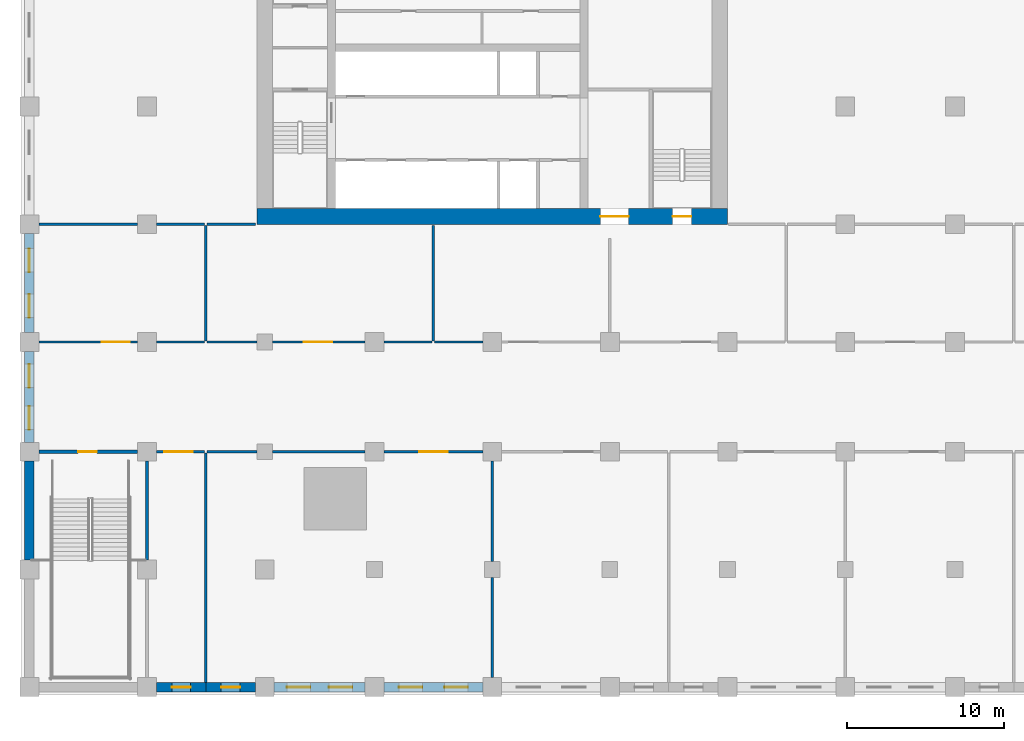
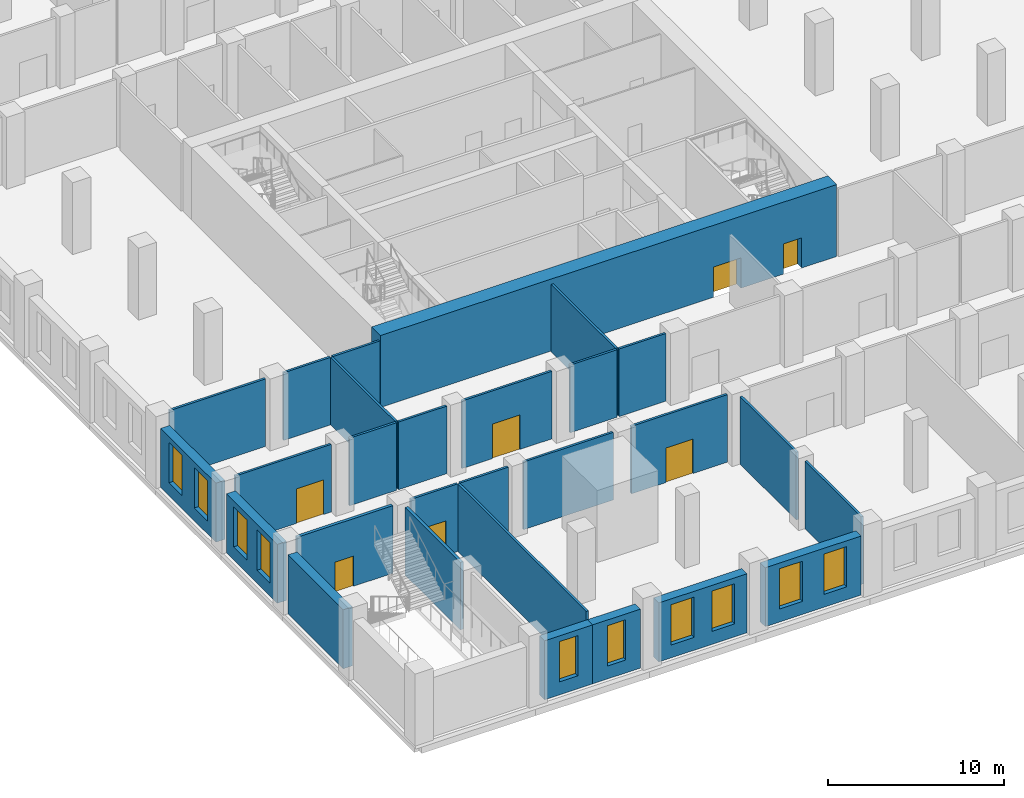
# One storey, part 3 of 32: 28 walls, 10 windows, 7 doors, 17 openings.
"""IFC4 building model written with IfcOpenShell, lengths in metres."""

from ifc_helpers import new_model, si_unit, direction, frame, frame_2d, origin, place, context, subcontext, project, spatial, rectangle, extrude, material, layer, layer_set, type_object, element, fill, save


model = new_model("IFC4")

# Units and contexts
model_context = context("Model", 3, precision=1e-05, world=origin(), true_north=direction((0.0, 1.0)))
body_context = subcontext(model_context, "Body", "Model", "MODEL_VIEW")
ifc_project = project(units=[si_unit("LENGTHUNIT", "METRE"), si_unit("AREAUNIT", "SQUARE_METRE"), si_unit("VOLUMEUNIT", "CUBIC_METRE"), si_unit("PLANEANGLEUNIT", "RADIAN"), si_unit("MASSUNIT", "GRAM", prefix="KILO")], contexts=[model_context])

# Site, building, storey
site_placement = place(None, origin())
site = spatial("IfcSite", under=ifc_project, at=site_placement, CompositionType="ELEMENT")
building_placement = place(site_placement, origin())
building = spatial("IfcBuilding", under=site, at=building_placement, Name="Tamorin Gate", CompositionType="ELEMENT")
storey_placement = place(building_placement, frame((0.0, 0.0, 18.5)))
storey = spatial("IfcBuildingStorey", under=building, at=storey_placement, Name="L03", CompositionType="ELEMENT", Elevation=18.5)

# Wall, opening, door
ifc_material_1 = material(Name="Concrete masonry C20/25", Category="masonry")
ifc_layer_1 = layer(ifc_material_1, 0.14990234375)
ifc_layer_set_1 = layer_set([ifc_layer_1], Name="Partition 150")
wall_type_1 = type_object("IfcWallType", Name="Partition 150", PredefinedType="PARTITIONING", material=ifc_layer_set_1)
wall_1_placement = place(storey_placement, frame((23.60009765625, 45.5, 0.0), z_axis=(0.0, 0.0, 1.0), x_axis=(1.0, 0.0, 0.0)))
wall_1 = element("IfcWall", 1, at=wall_1_placement, inside=storey, type_object=wall_type_1, Name="Partition 150 L03", PredefinedType="PARTITIONING", context=body_context, shape_type="SweptSolid", body=[
    extrude(rectangle(XDim=3.074951171875, YDim=0.14990234375, at=frame_2d((1.53759765625, 0.0))), origin(), (0.0, 0.0, 1.0), 4.699951171875),
])
opening_1_placement = place(wall_1_placement, frame((0.5, 0.0, 0.0)))
opening_1 = element("IfcOpeningElement", 2, at=opening_1_placement, cuts=wall_1, Name="Opening DP3", PredefinedType="OPENING", context=body_context, shape_type="SweptSolid", body=[
    extrude(rectangle(XDim=1.800048828125, YDim=2.39990234375, at=frame_2d((0.89990234375, 1.199951171875))), frame((0.0, 0.0849609375, 0.0), z_axis=(0.0, -1.0, 0.0), x_axis=(1.0, 0.0, 0.0)), (0.0, 0.0, 1.0), 0.169921875),
])
ifc_material_2 = material(Name="Steel and glass", Category="steel")
door_type_1 = type_object("IfcDoorType", Name="Door pair 1800", OperationType="DOUBLE_DOOR_SINGLE_SWING", PredefinedType="DOOR", material=ifc_material_2)
door_1_placement = place(opening_1_placement, origin())
door_1 = element("IfcDoor", 3, at=door_1_placement, inside=storey, type_object=door_type_1, Name="Door pair 1800 L03", OperationType="SINGLE_SWING_LEFT", OverallHeight=2.39990234375, OverallWidth=1.800048828125, PredefinedType="DOOR", context=body_context, shape_type="SweptSolid", body=[
    extrude(rectangle(XDim=1.800048828125, YDim=2.39990234375, at=frame_2d((0.89990234375, 1.199951171875))), frame((0.0, 0.02490234375, 0.0), z_axis=(0.0, -1.0, 0.0), x_axis=(1.0, 0.0, 0.0)), (0.0, 0.0, 1.0), 0.050048828125),
])
fill(opening_1, door_1)

# Walls
wall_2_placement = place(storey_placement, frame((26.824951171875, 45.5, 0.0), z_axis=(0.0, 0.0, 1.0), x_axis=(1.0, 0.0, 0.0)))
element("IfcWall", 4, at=wall_2_placement, inside=storey, type_object=wall_type_1, Name="Partition 150 L03", PredefinedType="PARTITIONING", context=body_context, shape_type="SweptSolid", body=[
    extrude(rectangle(XDim=3.175048828125, YDim=0.14990234375, at=frame_2d((1.58740234375, 0.0))), origin(), (0.0, 0.0, 1.0), 4.699951171875),
])
wall_3_placement = place(storey_placement, frame((31.0, 45.5, 0.0), z_axis=(0.0, 0.0, 1.0), x_axis=(1.0, 0.0, 0.0)))
element("IfcWall", 5, at=wall_3_placement, inside=storey, type_object=wall_type_1, Name="Partition 150 L03", PredefinedType="PARTITIONING", context=body_context, shape_type="SweptSolid", body=[
    extrude(rectangle(XDim=5.89990234375, YDim=0.14990234375, at=frame_2d((2.949951171875, 0.0))), origin(), (0.0, 0.0, 1.0), 4.699951171875),
])

# Wall, opening, door
wall_4_placement = place(storey_placement, frame((38.10009765625, 45.5, 0.0), z_axis=(0.0, 0.0, 1.0), x_axis=(1.0, 0.0, 0.0)))
wall_4 = element("IfcWall", 6, at=wall_4_placement, inside=storey, type_object=wall_type_1, Name="Partition 150 L03", PredefinedType="PARTITIONING", context=body_context, shape_type="SweptSolid", body=[
    extrude(rectangle(XDim=6.2998046875, YDim=0.14990234375, at=frame_2d((3.14990234375, 0.0))), origin(), (0.0, 0.0, 1.0), 4.699951171875),
])
opening_2_placement = place(wall_4_placement, frame((2.25, 0.0, 0.0)))
opening_2 = element("IfcOpeningElement", 7, at=opening_2_placement, cuts=wall_4, Name="Opening DP3", PredefinedType="OPENING", context=body_context, shape_type="SweptSolid", body=[
    extrude(rectangle(XDim=1.800048828125, YDim=2.39990234375, at=frame_2d((0.89990234375, 1.199951171875))), frame((0.0, 0.0849609375, 0.0), z_axis=(0.0, -1.0, 0.0), x_axis=(1.0, 0.0, 0.0)), (0.0, 0.0, 1.0), 0.169921875),
])
door_2_placement = place(opening_2_placement, origin())
door_2 = element("IfcDoor", 8, at=door_2_placement, inside=storey, type_object=door_type_1, Name="Door pair 1800 L03", OperationType="SINGLE_SWING_LEFT", OverallHeight=2.39990234375, OverallWidth=1.800048828125, PredefinedType="DOOR", context=body_context, shape_type="SweptSolid", body=[
    extrude(rectangle(XDim=1.800048828125, YDim=2.39990234375, at=frame_2d((0.89990234375, 1.199951171875))), frame((0.0, 0.02490234375, 0.0), z_axis=(0.0, -1.0, 0.0), x_axis=(1.0, 0.0, 0.0)), (0.0, 0.0, 1.0), 0.050048828125),
])
fill(opening_2, door_2)

wall_5_placement = place(storey_placement, frame((22.39990234375, 52.5, 0.0), z_axis=(0.0, 0.0, 1.0), x_axis=(-1.0, 0.0, 0.0)))
wall_5 = element("IfcWall", 9, at=wall_5_placement, inside=storey, type_object=wall_type_1, Name="Partition 150 L03", PredefinedType="PARTITIONING", context=body_context, shape_type="SweptSolid", body=[
    extrude(rectangle(XDim=6.2998046875, YDim=0.14990234375, at=frame_2d((3.14990234375, 0.0))), origin(), (0.0, 0.0, 1.0), 4.699951171875),
])
opening_3_placement = place(wall_5_placement, frame((0.5, 0.0, 0.0)))
opening_3 = element("IfcOpeningElement", 10, at=opening_3_placement, cuts=wall_5, Name="Opening DP3", PredefinedType="OPENING", context=body_context, shape_type="SweptSolid", body=[
    extrude(rectangle(XDim=1.800048828125, YDim=2.39990234375, at=frame_2d((0.89990234375, 1.199951171875))), frame((0.0, 0.0849609375, 0.0), z_axis=(0.0, -1.0, 0.0), x_axis=(1.0, 0.0, 0.0)), (0.0, 0.0, 1.0), 0.169921875),
])
door_3_placement = place(opening_3_placement, origin())
door_3 = element("IfcDoor", 11, at=door_3_placement, inside=storey, type_object=door_type_1, Name="Door pair 1800 L03", OperationType="SINGLE_SWING_LEFT", OverallHeight=2.39990234375, OverallWidth=1.800048828125, PredefinedType="DOOR", context=body_context, shape_type="SweptSolid", body=[
    extrude(rectangle(XDim=1.800048828125, YDim=2.39990234375, at=frame_2d((0.89990234375, 1.199951171875))), frame((0.0, 0.02490234375, 0.0), z_axis=(0.0, -1.0, 0.0), x_axis=(1.0, 0.0, 0.0)), (0.0, 0.0, 1.0), 0.050048828125),
])
fill(opening_3, door_3)

# Walls
wall_6_placement = place(storey_placement, frame((23.60009765625, 52.5, 0.0), z_axis=(0.0, 0.0, 1.0), x_axis=(1.0, 0.0, 0.0)))
element("IfcWall", 12, at=wall_6_placement, inside=storey, type_object=wall_type_1, Name="Partition 150 L03", PredefinedType="PARTITIONING", context=body_context, shape_type="SweptSolid", body=[
    extrude(rectangle(XDim=3.074951171875, YDim=0.14990234375, at=frame_2d((1.53759765625, 0.0))), origin(), (0.0, 0.0, 1.0), 4.699951171875),
])
wall_7_placement = place(storey_placement, frame((26.824951171875, 52.5, 0.0), z_axis=(0.0, 0.0, 1.0), x_axis=(1.0, 0.0, 0.0)))
element("IfcWall", 13, at=wall_7_placement, inside=storey, type_object=wall_type_1, Name="Partition 150 L03", PredefinedType="PARTITIONING", context=body_context, shape_type="SweptSolid", body=[
    extrude(rectangle(XDim=3.175048828125, YDim=0.14990234375, at=frame_2d((1.58740234375, 0.0))), origin(), (0.0, 0.0, 1.0), 4.699951171875),
])

# Wall, opening, door
wall_8_placement = place(storey_placement, frame((36.89990234375, 52.5, 0.0), z_axis=(0.0, 0.0, 1.0), x_axis=(-1.0, 0.0, 0.0)))
wall_8 = element("IfcWall", 14, at=wall_8_placement, inside=storey, type_object=wall_type_1, Name="Partition 150 L03", PredefinedType="PARTITIONING", context=body_context, shape_type="SweptSolid", body=[
    extrude(rectangle(XDim=5.89990234375, YDim=0.14990234375, at=frame_2d((2.949951171875, 0.0))), origin(), (0.0, 0.0, 1.0), 4.699951171875),
])
opening_4_placement = place(wall_8_placement, frame((2.10009765625, 0.0, 0.0)))
opening_4 = element("IfcOpeningElement", 15, at=opening_4_placement, cuts=wall_8, Name="Opening DP3", PredefinedType="OPENING", context=body_context, shape_type="SweptSolid", body=[
    extrude(rectangle(XDim=1.800048828125, YDim=2.39990234375, at=frame_2d((0.89990234375, 1.199951171875))), frame((0.0, 0.0849609375, 0.0), z_axis=(0.0, -1.0, 0.0), x_axis=(1.0, 0.0, 0.0)), (0.0, 0.0, 1.0), 0.169921875),
])
door_4_placement = place(opening_4_placement, origin())
door_4 = element("IfcDoor", 16, at=door_4_placement, inside=storey, type_object=door_type_1, Name="Door pair 1800 L03", OperationType="SINGLE_SWING_LEFT", OverallHeight=2.39990234375, OverallWidth=1.800048828125, PredefinedType="DOOR", context=body_context, shape_type="SweptSolid", body=[
    extrude(rectangle(XDim=1.800048828125, YDim=2.39990234375, at=frame_2d((0.89990234375, 1.199951171875))), frame((0.0, 0.02490234375, 0.0), z_axis=(0.0, -1.0, 0.0), x_axis=(1.0, 0.0, 0.0)), (0.0, 0.0, 1.0), 0.050048828125),
])
fill(opening_4, door_4)

# Walls
for number, where, z_axis, x_axis, name in (
    (17, (38.10009765625, 52.5, 0.0), (0.0, 0.0, 1.0), (1.0, 0.0, 0.0), "Partition 150 L03"),
    (18, (41.324951171875, 52.5, 0.0), (0.0, 0.0, 1.0), (1.0, 0.0, 0.0), "Partition 150 L03"),
):
    element("IfcWall", number, at=place(storey_placement, frame(where, z_axis=z_axis, x_axis=x_axis)), inside=storey, type_object=wall_type_1, Name=name, PredefinedType="PARTITIONING", context=body_context, shape_type="SweptSolid", body=[
        extrude(rectangle(XDim=3.074951171875, YDim=0.14990234375, at=frame_2d((1.53759765625, 0.0))), origin(), (0.0, 0.0, 1.0), 4.699951171875),
    ])
wall_9_placement = place(storey_placement, frame((16.10009765625, 60.0, 0.0), z_axis=(0.0, 0.0, 1.0), x_axis=(1.0, 0.0, 0.0)))
element("IfcWall", 19, at=wall_9_placement, inside=storey, type_object=wall_type_1, Name="Partition 150 L03", PredefinedType="PARTITIONING", context=body_context, shape_type="SweptSolid", body=[
    extrude(rectangle(XDim=6.2998046875, YDim=0.14990234375, at=frame_2d((3.14990234375, 0.0))), origin(), (0.0, 0.0, 1.0), 4.699951171875),
])
wall_10_placement = place(storey_placement, frame((23.60009765625, 60.0, 0.0), z_axis=(0.0, 0.0, 1.0), x_axis=(1.0, 0.0, 0.0)))
element("IfcWall", 20, at=wall_10_placement, inside=storey, type_object=wall_type_1, Name="Partition 150 L03", PredefinedType="PARTITIONING", context=body_context, shape_type="SweptSolid", body=[
    extrude(rectangle(XDim=3.074951171875, YDim=0.14990234375, at=frame_2d((1.53759765625, 0.0))), origin(), (0.0, 0.0, 1.0), 4.699951171875),
])
wall_11_placement = place(storey_placement, frame((26.824951171875, 60.0, 0.0), z_axis=(0.0, 0.0, 1.0), x_axis=(1.0, 0.0, 0.0)))
element("IfcWall", 21, at=wall_11_placement, inside=storey, type_object=wall_type_1, Name="Partition 150 L03", PredefinedType="PARTITIONING", context=body_context, shape_type="SweptSolid", body=[
    extrude(rectangle(XDim=3.10009765625, YDim=0.14990234375, at=frame_2d((1.550048828125, 0.0))), origin(), (0.0, 0.0, 1.0), 4.699951171875),
])
wall_12_placement = place(storey_placement, frame((26.75, 30.800048828125, 0.0), z_axis=(0.0, 0.0, 1.0), x_axis=(0.0, 1.0, 0.0)))
element("IfcWall", 22, at=wall_12_placement, inside=storey, type_object=wall_type_1, Name="Partition 150 L03", PredefinedType="PARTITIONING", context=body_context, shape_type="SweptSolid", body=[
    extrude(rectangle(XDim=14.625, YDim=0.14990234375, at=frame_2d((7.3125, 0.0))), origin(), (0.0, 0.0, 1.0), 4.699951171875),
])
wall_13_placement = place(storey_placement, frame((26.75, 52.574951171875, 0.0), z_axis=(0.0, 0.0, 1.0), x_axis=(0.0, 1.0, 0.0)))
element("IfcWall", 23, at=wall_13_placement, inside=storey, type_object=wall_type_1, Name="Partition 150 L03", PredefinedType="PARTITIONING", context=body_context, shape_type="SweptSolid", body=[
    extrude(rectangle(XDim=7.35009765625, YDim=0.14990234375, at=frame_2d((3.675048828125, 0.0))), origin(), (0.0, 0.0, 1.0), 4.699951171875),
])
for number, where, z_axis, x_axis, name in (
    (24, (45.0, 31.10009765625, 0.0), (0.0, 0.0, 1.0), (0.0, 1.0, 0.0), "Partition 150 L03"),
    (25, (45.0, 38.5, 0.0), (0.0, 0.0, 1.0), (0.0, 1.0, 0.0), "Partition 150 L03"),
):
    element("IfcWall", number, at=place(storey_placement, frame(where, z_axis=z_axis, x_axis=x_axis)), inside=storey, type_object=wall_type_1, Name=name, PredefinedType="PARTITIONING", context=body_context, shape_type="SweptSolid", body=[
        extrude(rectangle(XDim=6.39990234375, YDim=0.14990234375, at=frame_2d((3.199951171875, 0.0))), origin(), (0.0, 0.0, 1.0), 4.699951171875),
    ])
wall_14_placement = place(storey_placement, frame((41.25, 52.574951171875, 0.0), z_axis=(0.0, 0.0, 1.0), x_axis=(0.0, 1.0, 0.0)))
element("IfcWall", 26, at=wall_14_placement, inside=storey, type_object=wall_type_1, Name="Partition 150 L03", PredefinedType="PARTITIONING", context=body_context, shape_type="SweptSolid", body=[
    extrude(rectangle(XDim=7.35009765625, YDim=0.14990234375, at=frame_2d((3.675048828125, 0.0))), origin(), (0.0, 0.0, 1.0), 4.699951171875),
])

# Wall, opening, window
ifc_material_3 = material(Name="Precast concrete C40/50", Category="concrete")
ifc_layer_2 = layer(ifc_material_3, 0.60009765625)
ifc_layer_set_2 = layer_set([ifc_layer_2], Name="Precast concrete C40/50")
wall_type_2 = type_object("IfcWallType", Name="Precast plinth wall 600", PredefinedType="PARTITIONING", material=ifc_layer_set_2)
wall_15_placement = place(storey_placement, frame((23.60009765625, 30.5, 0.0), z_axis=(0.0, 0.0, 1.0), x_axis=(1.0, 0.0, 0.0)))
wall_15 = element("IfcWall", 27, at=wall_15_placement, inside=storey, type_object=wall_type_2, Name="Precast plinth wall 600 L03", PredefinedType="PARTITIONING", context=body_context, shape_type="SweptSolid", body=[
    extrude(rectangle(XDim=3.14990234375, YDim=0.60009765625, at=frame_2d((1.574951171875, 0.0))), origin(), (0.0, 0.0, 1.0), 4.10009765625),
])
opening_5_placement = place(wall_15_placement, frame((0.97509765625, 0.0, 0.89990234375)))
opening_5 = element("IfcOpeningElement", 28, at=opening_5_placement, cuts=wall_15, Name="Opening PWN4", PredefinedType="OPENING", context=body_context, shape_type="SweptSolid", body=[
    extrude(rectangle(XDim=1.199951171875, YDim=2.800048828125, at=frame_2d((0.60009765625, 1.39990234375))), frame((0.0, 0.31005859375, 0.0), z_axis=(0.0, -1.0, 0.0), x_axis=(1.0, 0.0, 0.0)), (0.0, 0.0, 1.0), 0.6201171875),
])
ifc_material_4 = material(Name="Aluminium and glass", Category="aluminium")
window_type_1 = type_object("IfcWindowType", Name="Plinth window 1200x2800", PartitioningType="DOUBLE_PANEL_VERTICAL", PredefinedType="WINDOW", material=ifc_material_4)
window_1_placement = place(opening_5_placement, origin())
window_1 = element("IfcWindow", 29, at=window_1_placement, inside=storey, type_object=window_type_1, Name="Plinth window 1200x2800", OverallHeight=2.800048828125, OverallWidth=1.199951171875, PartitioningType="SINGLE_PANEL", PredefinedType="WINDOW", context=body_context, shape_type="SweptSolid", body=[
    extrude(rectangle(XDim=1.199951171875, YDim=2.800048828125, at=frame_2d((0.60009765625, 1.39990234375))), frame((0.0, 0.030029296875, 0.0), z_axis=(0.0, -1.0, 0.0), x_axis=(1.0, 0.0, 0.0)), (0.0, 0.0, 1.0), 0.06005859375),
])
fill(opening_5, window_1)

wall_16_placement = place(storey_placement, frame((26.75, 30.5, 0.0), z_axis=(0.0, 0.0, 1.0), x_axis=(1.0, 0.0, 0.0)))
wall_16 = element("IfcWall", 30, at=wall_16_placement, inside=storey, type_object=wall_type_2, Name="Precast plinth wall 600 L03", PredefinedType="PARTITIONING", context=body_context, shape_type="SweptSolid", body=[
    extrude(rectangle(XDim=3.14990234375, YDim=0.60009765625, at=frame_2d((1.574951171875, 0.0))), origin(), (0.0, 0.0, 1.0), 4.10009765625),
])
opening_6_placement = place(wall_16_placement, frame((0.97509765625, 0.0, 0.89990234375)))
opening_6 = element("IfcOpeningElement", 31, at=opening_6_placement, cuts=wall_16, Name="Opening PWN4", PredefinedType="OPENING", context=body_context, shape_type="SweptSolid", body=[
    extrude(rectangle(XDim=1.199951171875, YDim=2.800048828125, at=frame_2d((0.60009765625, 1.39990234375))), frame((0.0, 0.31005859375, 0.0), z_axis=(0.0, -1.0, 0.0), x_axis=(1.0, 0.0, 0.0)), (0.0, 0.0, 1.0), 0.6201171875),
])
window_2_placement = place(opening_6_placement, origin())
window_2 = element("IfcWindow", 32, at=window_2_placement, inside=storey, type_object=window_type_1, Name="Plinth window 1200x2800", OverallHeight=2.800048828125, OverallWidth=1.199951171875, PartitioningType="SINGLE_PANEL", PredefinedType="WINDOW", context=body_context, shape_type="SweptSolid", body=[
    extrude(rectangle(XDim=1.199951171875, YDim=2.800048828125, at=frame_2d((0.60009765625, 1.39990234375))), frame((0.0, 0.030029296875, 0.0), z_axis=(0.0, -1.0, 0.0), x_axis=(1.0, 0.0, 0.0)), (0.0, 0.0, 1.0), 0.06005859375),
])
fill(opening_6, window_2)

# Wall, openings, windows
wall_17_placement = place(storey_placement, frame((31.10009765625, 30.5, 0.0), z_axis=(0.0, 0.0, 1.0), x_axis=(1.0, 0.0, 0.0)))
wall_17 = element("IfcWall", 33, at=wall_17_placement, inside=storey, type_object=wall_type_2, Name="Precast plinth wall 600 L03", PredefinedType="PARTITIONING", context=body_context, shape_type="SweptSolid", body=[
    extrude(rectangle(XDim=5.7998046875, YDim=0.60009765625, at=frame_2d((2.89990234375, 0.0))), origin(), (0.0, 0.0, 1.0), 4.10009765625),
])
opening_7_placement = place(wall_17_placement, frame((0.81591796875, 0.0, 0.89990234375)))
opening_7 = element("IfcOpeningElement", 34, at=opening_7_placement, cuts=wall_17, Name="Opening PWN5", PredefinedType="OPENING", context=body_context, shape_type="SweptSolid", body=[
    extrude(rectangle(XDim=1.5, YDim=2.800048828125, at=frame_2d((0.75, 1.39990234375))), frame((0.0, 0.31005859375, 0.0), z_axis=(0.0, -1.0, 0.0), x_axis=(1.0, 0.0, 0.0)), (0.0, 0.0, 1.0), 0.6201171875),
])
opening_8_placement = place(wall_17_placement, frame((3.48388671875, 0.0, 0.89990234375)))
opening_8 = element("IfcOpeningElement", 35, at=opening_8_placement, cuts=wall_17, Name="Opening PWN5", PredefinedType="OPENING", context=body_context, shape_type="SweptSolid", body=[
    extrude(rectangle(XDim=1.5, YDim=2.800048828125, at=frame_2d((0.75, 1.39990234375))), frame((0.0, 0.31005859375, 0.0), z_axis=(0.0, -1.0, 0.0), x_axis=(1.0, 0.0, 0.0)), (0.0, 0.0, 1.0), 0.6201171875),
])
window_type_2 = type_object("IfcWindowType", Name="Plinth window 1500x2800", PartitioningType="DOUBLE_PANEL_VERTICAL", PredefinedType="WINDOW", material=ifc_material_4)
window_3_placement = place(opening_7_placement, origin())
window_3 = element("IfcWindow", 36, at=window_3_placement, inside=storey, type_object=window_type_2, Name="Plinth window 1500x2800", OverallHeight=2.800048828125, OverallWidth=1.5, PartitioningType="SINGLE_PANEL", PredefinedType="WINDOW", context=body_context, shape_type="SweptSolid", body=[
    extrude(rectangle(XDim=1.5, YDim=2.800048828125, at=frame_2d((0.75, 1.39990234375))), frame((0.0, 0.030029296875, 0.0), z_axis=(0.0, -1.0, 0.0), x_axis=(1.0, 0.0, 0.0)), (0.0, 0.0, 1.0), 0.06005859375),
])
fill(opening_7, window_3)
window_4_placement = place(opening_8_placement, origin())
window_4 = element("IfcWindow", 37, at=window_4_placement, inside=storey, type_object=window_type_2, Name="Plinth window 1500x2800", OverallHeight=2.800048828125, OverallWidth=1.5, PartitioningType="SINGLE_PANEL", PredefinedType="WINDOW", context=body_context, shape_type="SweptSolid", body=[
    extrude(rectangle(XDim=1.5, YDim=2.800048828125, at=frame_2d((0.75, 1.39990234375))), frame((0.0, 0.030029296875, 0.0), z_axis=(0.0, -1.0, 0.0), x_axis=(1.0, 0.0, 0.0)), (0.0, 0.0, 1.0), 0.06005859375),
])
fill(opening_8, window_4)

wall_18_placement = place(storey_placement, frame((38.10009765625, 30.5, 0.0), z_axis=(0.0, 0.0, 1.0), x_axis=(1.0, 0.0, 0.0)))
wall_18 = element("IfcWall", 38, at=wall_18_placement, inside=storey, type_object=wall_type_2, Name="Precast plinth wall 600 L03", PredefinedType="PARTITIONING", context=body_context, shape_type="SweptSolid", body=[
    extrude(rectangle(XDim=6.2998046875, YDim=0.60009765625, at=frame_2d((3.14990234375, 0.0))), origin(), (0.0, 0.0, 1.0), 4.10009765625),
])
opening_9_placement = place(wall_18_placement, frame((0.950927734375, 0.0, 0.89990234375)))
opening_9 = element("IfcOpeningElement", 39, at=opening_9_placement, cuts=wall_18, Name="Opening PWN5", PredefinedType="OPENING", context=body_context, shape_type="SweptSolid", body=[
    extrude(rectangle(XDim=1.5, YDim=2.800048828125, at=frame_2d((0.75, 1.39990234375))), frame((0.0, 0.31005859375, 0.0), z_axis=(0.0, -1.0, 0.0), x_axis=(1.0, 0.0, 0.0)), (0.0, 0.0, 1.0), 0.6201171875),
])
opening_10_placement = place(wall_18_placement, frame((3.84912109375, 0.0, 0.89990234375)))
opening_10 = element("IfcOpeningElement", 40, at=opening_10_placement, cuts=wall_18, Name="Opening PWN5", PredefinedType="OPENING", context=body_context, shape_type="SweptSolid", body=[
    extrude(rectangle(XDim=1.5, YDim=2.800048828125, at=frame_2d((0.75, 1.39990234375))), frame((0.0, 0.31005859375, 0.0), z_axis=(0.0, -1.0, 0.0), x_axis=(1.0, 0.0, 0.0)), (0.0, 0.0, 1.0), 0.6201171875),
])
window_5_placement = place(opening_9_placement, origin())
window_5 = element("IfcWindow", 41, at=window_5_placement, inside=storey, type_object=window_type_2, Name="Plinth window 1500x2800", OverallHeight=2.800048828125, OverallWidth=1.5, PartitioningType="SINGLE_PANEL", PredefinedType="WINDOW", context=body_context, shape_type="SweptSolid", body=[
    extrude(rectangle(XDim=1.5, YDim=2.800048828125, at=frame_2d((0.75, 1.39990234375))), frame((0.0, 0.030029296875, 0.0), z_axis=(0.0, -1.0, 0.0), x_axis=(1.0, 0.0, 0.0)), (0.0, 0.0, 1.0), 0.06005859375),
])
fill(opening_9, window_5)
window_6_placement = place(opening_10_placement, origin())
window_6 = element("IfcWindow", 42, at=window_6_placement, inside=storey, type_object=window_type_2, Name="Plinth window 1500x2800", OverallHeight=2.800048828125, OverallWidth=1.5, PartitioningType="SINGLE_PANEL", PredefinedType="WINDOW", context=body_context, shape_type="SweptSolid", body=[
    extrude(rectangle(XDim=1.5, YDim=2.800048828125, at=frame_2d((0.75, 1.39990234375))), frame((0.0, 0.030029296875, 0.0), z_axis=(0.0, -1.0, 0.0), x_axis=(1.0, 0.0, 0.0)), (0.0, 0.0, 1.0), 0.06005859375),
])
fill(opening_10, window_6)

# Wall
wall_19_placement = place(storey_placement, frame((15.5, 38.60009765625, 0.0), z_axis=(0.0, 0.0, 1.0), x_axis=(0.0, 1.0, 0.0)))
element("IfcWall", 43, at=wall_19_placement, inside=storey, type_object=wall_type_2, Name="Precast plinth wall 600 L03", PredefinedType="PARTITIONING", context=body_context, shape_type="SweptSolid", body=[
    extrude(rectangle(XDim=6.2998046875, YDim=0.60009765625, at=frame_2d((3.14990234375, 0.0))), origin(), (0.0, 0.0, 1.0), 4.10009765625),
])

# Wall, openings, windows
wall_20_placement = place(storey_placement, frame((15.5, 46.10009765625, 0.0), z_axis=(0.0, 0.0, 1.0), x_axis=(0.0, 1.0, 0.0)))
wall_20 = element("IfcWall", 44, at=wall_20_placement, inside=storey, type_object=wall_type_2, Name="Precast plinth wall 600 L03", PredefinedType="PARTITIONING", context=body_context, shape_type="SweptSolid", body=[
    extrude(rectangle(XDim=5.7998046875, YDim=0.60009765625, at=frame_2d((2.89990234375, 0.0))), origin(), (0.0, 0.0, 1.0), 4.10009765625),
])
opening_11_placement = place(wall_20_placement, frame((0.81591796875, 0.0, 0.89990234375)))
opening_11 = element("IfcOpeningElement", 45, at=opening_11_placement, cuts=wall_20, Name="Opening PWN5", PredefinedType="OPENING", context=body_context, shape_type="SweptSolid", body=[
    extrude(rectangle(XDim=1.5, YDim=2.800048828125, at=frame_2d((0.75, 1.39990234375))), frame((0.0, 0.31005859375, 0.0), z_axis=(0.0, -1.0, 0.0), x_axis=(1.0, 0.0, 0.0)), (0.0, 0.0, 1.0), 0.6201171875),
])
opening_12_placement = place(wall_20_placement, frame((3.48388671875, 0.0, 0.89990234375)))
opening_12 = element("IfcOpeningElement", 46, at=opening_12_placement, cuts=wall_20, Name="Opening PWN5", PredefinedType="OPENING", context=body_context, shape_type="SweptSolid", body=[
    extrude(rectangle(XDim=1.5, YDim=2.800048828125, at=frame_2d((0.75, 1.39990234375))), frame((0.0, 0.31005859375, 0.0), z_axis=(0.0, -1.0, 0.0), x_axis=(1.0, 0.0, 0.0)), (0.0, 0.0, 1.0), 0.6201171875),
])
window_7_placement = place(opening_11_placement, origin())
window_7 = element("IfcWindow", 47, at=window_7_placement, inside=storey, type_object=window_type_2, Name="Plinth window 1500x2800", OverallHeight=2.800048828125, OverallWidth=1.5, PartitioningType="SINGLE_PANEL", PredefinedType="WINDOW", context=body_context, shape_type="SweptSolid", body=[
    extrude(rectangle(XDim=1.5, YDim=2.800048828125, at=frame_2d((0.75, 1.39990234375))), frame((0.0, 0.030029296875, 0.0), z_axis=(0.0, -1.0, 0.0), x_axis=(1.0, 0.0, 0.0)), (0.0, 0.0, 1.0), 0.06005859375),
])
fill(opening_11, window_7)
window_8_placement = place(opening_12_placement, origin())
window_8 = element("IfcWindow", 48, at=window_8_placement, inside=storey, type_object=window_type_2, Name="Plinth window 1500x2800", OverallHeight=2.800048828125, OverallWidth=1.5, PartitioningType="SINGLE_PANEL", PredefinedType="WINDOW", context=body_context, shape_type="SweptSolid", body=[
    extrude(rectangle(XDim=1.5, YDim=2.800048828125, at=frame_2d((0.75, 1.39990234375))), frame((0.0, 0.030029296875, 0.0), z_axis=(0.0, -1.0, 0.0), x_axis=(1.0, 0.0, 0.0)), (0.0, 0.0, 1.0), 0.06005859375),
])
fill(opening_12, window_8)

wall_21_placement = place(storey_placement, frame((15.5, 53.10009765625, 0.0), z_axis=(0.0, 0.0, 1.0), x_axis=(0.0, 1.0, 0.0)))
wall_21 = element("IfcWall", 49, at=wall_21_placement, inside=storey, type_object=wall_type_2, Name="Precast plinth wall 600 L03", PredefinedType="PARTITIONING", context=body_context, shape_type="SweptSolid", body=[
    extrude(rectangle(XDim=6.2998046875, YDim=0.60009765625, at=frame_2d((3.14990234375, 0.0))), origin(), (0.0, 0.0, 1.0), 4.10009765625),
])
opening_13_placement = place(wall_21_placement, frame((0.950927734375, 0.0, 0.89990234375)))
opening_13 = element("IfcOpeningElement", 50, at=opening_13_placement, cuts=wall_21, Name="Opening PWN5", PredefinedType="OPENING", context=body_context, shape_type="SweptSolid", body=[
    extrude(rectangle(XDim=1.5, YDim=2.800048828125, at=frame_2d((0.75, 1.39990234375))), frame((0.0, 0.31005859375, 0.0), z_axis=(0.0, -1.0, 0.0), x_axis=(1.0, 0.0, 0.0)), (0.0, 0.0, 1.0), 0.6201171875),
])
opening_14_placement = place(wall_21_placement, frame((3.84912109375, 0.0, 0.89990234375)))
opening_14 = element("IfcOpeningElement", 51, at=opening_14_placement, cuts=wall_21, Name="Opening PWN5", PredefinedType="OPENING", context=body_context, shape_type="SweptSolid", body=[
    extrude(rectangle(XDim=1.5, YDim=2.800048828125, at=frame_2d((0.75, 1.39990234375))), frame((0.0, 0.31005859375, 0.0), z_axis=(0.0, -1.0, 0.0), x_axis=(1.0, 0.0, 0.0)), (0.0, 0.0, 1.0), 0.6201171875),
])
window_9_placement = place(opening_13_placement, origin())
window_9 = element("IfcWindow", 52, at=window_9_placement, inside=storey, type_object=window_type_2, Name="Plinth window 1500x2800", OverallHeight=2.800048828125, OverallWidth=1.5, PartitioningType="SINGLE_PANEL", PredefinedType="WINDOW", context=body_context, shape_type="SweptSolid", body=[
    extrude(rectangle(XDim=1.5, YDim=2.800048828125, at=frame_2d((0.75, 1.39990234375))), frame((0.0, 0.030029296875, 0.0), z_axis=(0.0, -1.0, 0.0), x_axis=(1.0, 0.0, 0.0)), (0.0, 0.0, 1.0), 0.06005859375),
])
fill(opening_13, window_9)
window_10_placement = place(opening_14_placement, origin())
window_10 = element("IfcWindow", 53, at=window_10_placement, inside=storey, type_object=window_type_2, Name="Plinth window 1500x2800", OverallHeight=2.800048828125, OverallWidth=1.5, PartitioningType="SINGLE_PANEL", PredefinedType="WINDOW", context=body_context, shape_type="SweptSolid", body=[
    extrude(rectangle(XDim=1.5, YDim=2.800048828125, at=frame_2d((0.75, 1.39990234375))), frame((0.0, 0.030029296875, 0.0), z_axis=(0.0, -1.0, 0.0), x_axis=(1.0, 0.0, 0.0)), (0.0, 0.0, 1.0), 0.06005859375),
])
fill(opening_14, window_10)

# Wall, openings, doors
ifc_material_5 = material(Name="Concrete C80/95", Category="concrete")
ifc_layer_3 = layer(ifc_material_5, 1.0)
ifc_layer_set_3 = layer_set([ifc_layer_3], Name="RC core wall 1000 C80/95")
wall_type_3 = type_object("IfcWallType", Name="RC core wall 1000 C80/95", PredefinedType="SHEAR", material=ifc_layer_set_3)
wall_22_placement = place(storey_placement, frame((30.0, 60.5, 0.0), z_axis=(0.0, 0.0, 1.0), x_axis=(1.0, 0.0, 0.0)))
wall_22 = element("IfcWall", 54, at=wall_22_placement, inside=storey, type_object=wall_type_3, Name="Core wall L03", PredefinedType="SHEAR", context=body_context, shape_type="SweptSolid", body=[
    extrude(rectangle(XDim=30.0, YDim=1.0, at=frame_2d((15.0, 0.0))), origin(), (0.0, 0.0, 1.0), 5.0),
])
opening_15_placement = place(wall_22_placement, frame((21.89990234375, 0.0, 0.0)))
opening_15 = element("IfcOpeningElement", 55, at=opening_15_placement, cuts=wall_22, Name="Opening DE1", PredefinedType="OPENING", context=body_context, shape_type="SweptSolid", body=[
    extrude(rectangle(XDim=1.800048828125, YDim=2.10009765625, at=frame_2d((0.89990234375, 1.050048828125))), frame((0.0, 0.510009765625, 0.0), z_axis=(0.0, -1.0, 0.0), x_axis=(1.0, 0.0, 0.0)), (0.0, 0.0, 1.0), 1.02001953125),
])
opening_16_placement = place(wall_22_placement, frame((26.5, 0.0, 0.0)))
opening_16 = element("IfcOpeningElement", 56, at=opening_16_placement, cuts=wall_22, Name="Opening DS1", PredefinedType="OPENING", context=body_context, shape_type="SweptSolid", body=[
    extrude(rectangle(XDim=1.199951171875, YDim=2.10009765625, at=frame_2d((0.60009765625, 1.050048828125))), frame((0.0, 0.510009765625, 0.0), z_axis=(0.0, -1.0, 0.0), x_axis=(1.0, 0.0, 0.0)), (0.0, 0.0, 1.0), 1.02001953125),
])
ifc_material_6 = material(Name="Steel fire door", Category="steel")
door_type_2 = type_object("IfcDoorType", Name="Lobby exit double door 1800 x 2100 EI 60", OperationType="DOUBLE_DOOR_SINGLE_SWING", PredefinedType="DOOR", material=ifc_material_6)
door_5_placement = place(opening_15_placement, origin())
door_5 = element("IfcDoor", 57, at=door_5_placement, inside=storey, type_object=door_type_2, Name="Lift lobby A exit door", OperationType="DOUBLE_DOOR_SINGLE_SWING", OverallHeight=2.10009765625, OverallWidth=1.800048828125, PredefinedType="DOOR", context=body_context, shape_type="SweptSolid", body=[
    extrude(rectangle(XDim=1.800048828125, YDim=2.10009765625, at=frame_2d((0.89990234375, 1.050048828125))), frame((0.0, 0.02490234375, 0.0), z_axis=(0.0, -1.0, 0.0), x_axis=(1.0, 0.0, 0.0)), (0.0, 0.0, 1.0), 0.050048828125),
])
fill(opening_15, door_5)
door_type_3 = type_object("IfcDoorType", Name="Stair door 1200 x 2100 EI 90", OperationType="SINGLE_SWING_LEFT", PredefinedType="DOOR", material=ifc_material_6)
door_6_placement = place(opening_16_placement, origin())
door_6 = element("IfcDoor", 58, at=door_6_placement, inside=storey, type_object=door_type_3, Name="ST3 door", OperationType="SINGLE_SWING_LEFT", OverallHeight=2.10009765625, OverallWidth=1.199951171875, PredefinedType="DOOR", context=body_context, shape_type="SweptSolid", body=[
    extrude(rectangle(XDim=1.199951171875, YDim=2.10009765625, at=frame_2d((0.60009765625, 1.050048828125))), frame((0.0, 0.02490234375, 0.0), z_axis=(0.0, -1.0, 0.0), x_axis=(1.0, 0.0, 0.0)), (0.0, 0.0, 1.0), 0.050048828125),
])
fill(opening_16, door_6)

# Wall, opening, door
ifc_material_7 = material(Name="Concrete C40/50", Category="concrete")
ifc_layer_4 = layer(ifc_material_7, 0.199951171875)
ifc_layer_set_4 = layer_set([ifc_layer_4], Name="Stair enclosure 200")
wall_type_4 = type_object("IfcWallType", Name="Stair enclosure 200", PredefinedType="SHEAR", material=ifc_layer_set_4)
wall_23_placement = place(storey_placement, frame((22.39990234375, 45.5, 0.0), z_axis=(0.0, 0.0, 1.0), x_axis=(-1.0, 0.0, 0.0)))
wall_23 = element("IfcWall", 59, at=wall_23_placement, inside=storey, type_object=wall_type_4, Name="Stair enclosure 200 L03", PredefinedType="SHEAR", context=body_context, shape_type="SweptSolid", body=[
    extrude(rectangle(XDim=6.2998046875, YDim=0.199951171875, at=frame_2d((3.14990234375, 0.0))), origin(), (0.0, 0.0, 1.0), 4.699951171875),
])
opening_17_placement = place(wall_23_placement, frame((2.60009765625, 0.0, 0.0)))
opening_17 = element("IfcOpeningElement", 60, at=opening_17_placement, cuts=wall_23, Name="Opening DP5", PredefinedType="OPENING", context=body_context, shape_type="SweptSolid", body=[
    extrude(rectangle(XDim=1.199951171875, YDim=2.10009765625, at=frame_2d((0.60009765625, 1.050048828125))), frame((0.0, 0.10986328125, 0.0), z_axis=(0.0, -1.0, 0.0), x_axis=(1.0, 0.0, 0.0)), (0.0, 0.0, 1.0), 0.219970703125),
])
ifc_material_8 = material(Name="Painted steel", Category="steel")
door_type_4 = type_object("IfcDoorType", Name="Stair door 1200", OperationType="SINGLE_SWING_LEFT", PredefinedType="DOOR", material=ifc_material_8)
door_7_placement = place(opening_17_placement, origin())
door_7 = element("IfcDoor", 61, at=door_7_placement, inside=storey, type_object=door_type_4, Name="Stair door 1200 L03", OperationType="SINGLE_SWING_LEFT", OverallHeight=2.10009765625, OverallWidth=1.199951171875, PredefinedType="DOOR", context=body_context, shape_type="SweptSolid", body=[
    extrude(rectangle(XDim=1.199951171875, YDim=2.10009765625, at=frame_2d((0.60009765625, 1.050048828125))), frame((0.0, 0.02490234375, 0.0), z_axis=(0.0, -1.0, 0.0), x_axis=(1.0, 0.0, 0.0)), (0.0, 0.0, 1.0), 0.050048828125),
])
fill(opening_17, door_7)

# Wall
wall_24_placement = place(storey_placement, frame((23.0, 38.60009765625, 0.0), z_axis=(0.0, 0.0, 1.0), x_axis=(0.0, 1.0, 0.0)))
element("IfcWall", 62, at=wall_24_placement, inside=storey, type_object=wall_type_4, Name="Stair enclosure 200 L03", PredefinedType="SHEAR", context=body_context, shape_type="SweptSolid", body=[
    extrude(rectangle(XDim=6.2998046875, YDim=0.199951171875, at=frame_2d((3.14990234375, 0.0))), origin(), (0.0, 0.0, 1.0), 4.699951171875),
])

save(model, "model.ifc")
